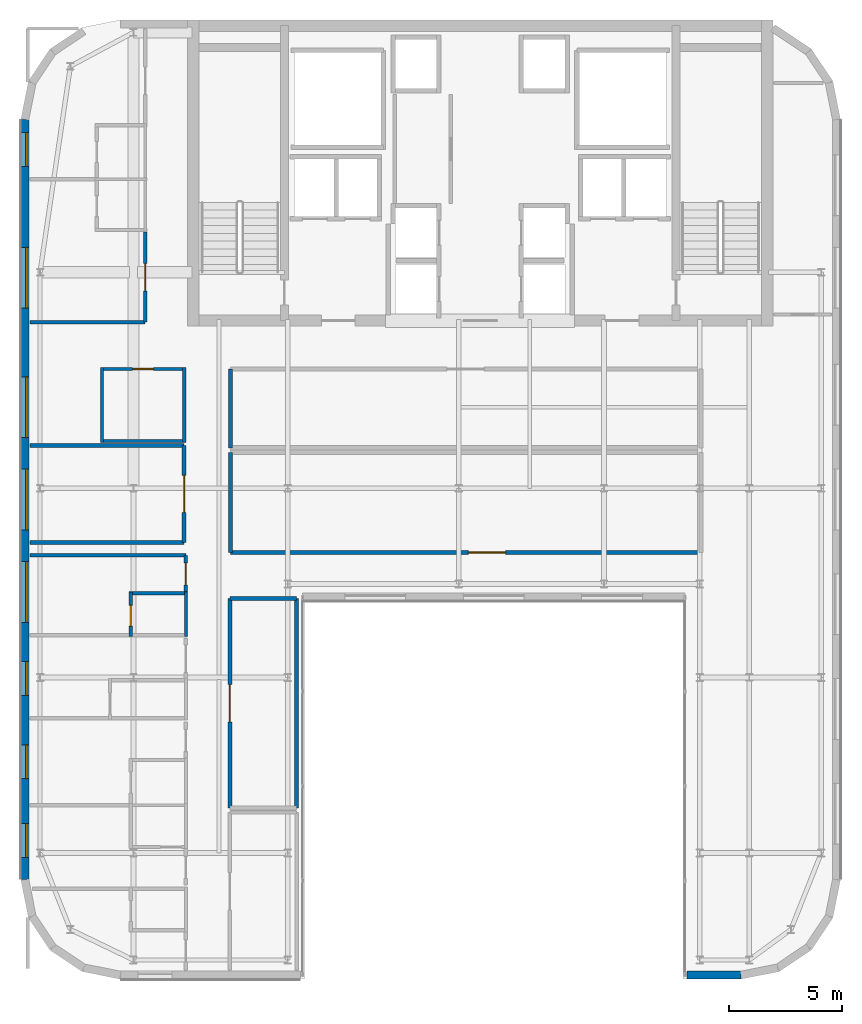
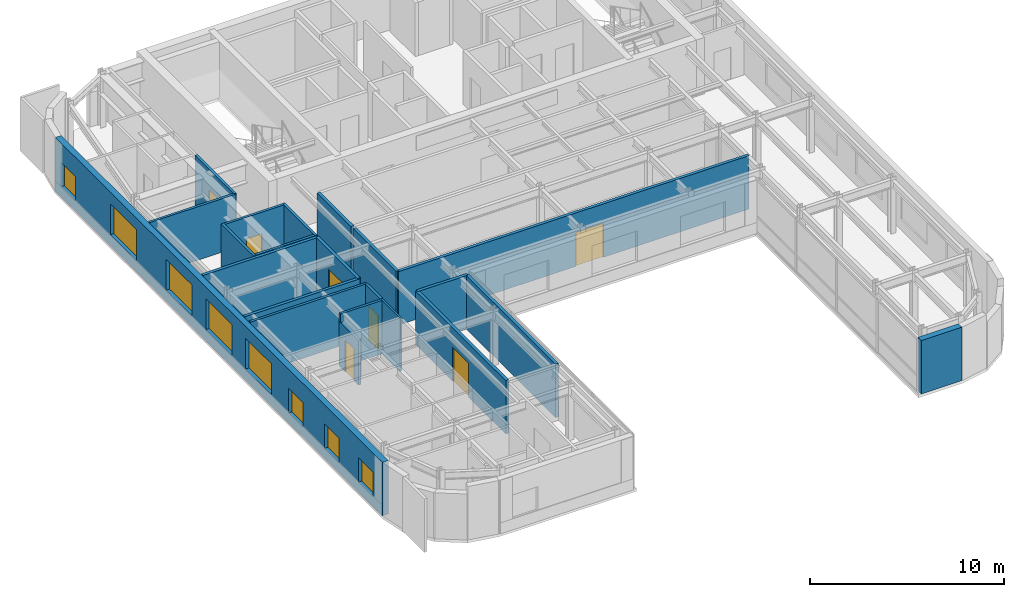
# One storey, part 14 of 21: 22 walls, 8 windows, 7 doors, 15 openings.
"""IFC4 building model written with IfcOpenShell, lengths in metres."""

from ifc_helpers import new_model, si_unit, direction, frame, frame_2d, origin, place, context, subcontext, project, spatial, rectangle, extrude, source, transform, mapped, material, layer, layer_set, type_object, type_shapes, element, fill, save


model = new_model("IFC4")

# Units and contexts
model_context = context("Model", 3, precision=1e-05, world=origin(), true_north=direction((0.0, 1.0)))
body_context = subcontext(model_context, "Body", "Model", "MODEL_VIEW")
ifc_project = project(units=[si_unit("LENGTHUNIT", "METRE"), si_unit("AREAUNIT", "SQUARE_METRE"), si_unit("VOLUMEUNIT", "CUBIC_METRE"), si_unit("PLANEANGLEUNIT", "RADIAN"), si_unit("MASSUNIT", "GRAM", prefix="KILO")], contexts=[model_context])

# Site, building, storey
site_placement = place(None, origin())
site = spatial("IfcSite", under=ifc_project, at=site_placement, CompositionType="ELEMENT")
building_placement = place(site_placement, origin())
building = spatial("IfcBuilding", under=site, at=building_placement, Name="Tolvann Quenvar Hotel", CompositionType="ELEMENT")
storey_placement = place(building_placement, frame((0.0, 0.0, 262.949951171875)))
storey = spatial("IfcBuildingStorey", under=building, at=storey_placement, Name="L70", CompositionType="ELEMENT", Elevation=262.949951171875)

# Wall
ifc_material_1 = material(Name="Kiln-fired red and buff architectural clay brickwork and terracotta masonry", Category="masonry")
ifc_layer_1 = layer(ifc_material_1, 0.35009765625)
ifc_layer_set_1 = layer_set([ifc_layer_1], Name="Kiln-fired red and buff architectural clay brickwork and terracotta masonry")
wall_type_1 = type_object("IfcWallType", Name="WALL_EXT_BRICK_350", PredefinedType="SOLIDWALL", material=ifc_layer_set_1)
wall_1_placement = place(storey_placement, frame((32.175048828125, 2.77490234375, 0.0), z_axis=(0.0, 0.0, 1.0), x_axis=(1.0, 0.0, 0.0)))
element("IfcWall", 1, at=wall_1_placement, inside=storey, type_object=wall_type_1, Name="Exterior Chicago Brick Wall L70-E08", PredefinedType="SOLIDWALL", context=body_context, shape_type="SweptSolid", body=[
    extrude(rectangle(XDim=2.40771484375, YDim=0.35009765625, at=frame_2d((1.203857421875, 0.0))), origin(), (0.0, 0.0, 1.0), 3.3701171875),
])

# Wall, openings, windows
wall_2_placement = place(storey_placement, frame((2.77490234375, 40.78271484375, 0.0), z_axis=(0.0, 0.0, 1.0), x_axis=(0.0, -1.0, 0.0)))
wall_2 = element("IfcWall", 2, at=wall_2_placement, inside=storey, type_object=wall_type_1, Name="Exterior Chicago Brick Wall L70-E23", PredefinedType="SOLIDWALL", context=body_context, shape_type="SweptSolid", body=[
    extrude(rectangle(XDim=33.765625, YDim=0.35009765625, at=frame_2d((16.8828125, 0.0))), origin(), (0.0, 0.0, 1.0), 3.3701171875),
])
opening_1_placement = place(wall_2_placement, frame((5.677978515625, 0.0, 0.679931640625)))
opening_1 = element("IfcOpeningElement", 3, at=opening_1_placement, cuts=wall_2, Name="Opening W-04", PredefinedType="OPENING", context=body_context, shape_type="SweptSolid", body=[
    extrude(rectangle(XDim=2.699951171875, YDim=1.949951171875, at=frame_2d((1.35009765625, 0.97509765625))), frame((0.0, 0.18505859375, 0.0), z_axis=(0.0, -1.0, 0.0), x_axis=(1.0, 0.0, 0.0)), (0.0, 0.0, 1.0), 0.3701171875),
])
opening_2_placement = place(wall_2_placement, frame((11.430908203125, 0.0, 0.679931640625)))
opening_2 = element("IfcOpeningElement", 4, at=opening_2_placement, cuts=wall_2, Name="Opening W-04", PredefinedType="OPENING", context=body_context, shape_type="SweptSolid", body=[
    extrude(rectangle(XDim=2.699951171875, YDim=1.949951171875, at=frame_2d((1.35009765625, 0.97509765625))), frame((0.0, 0.18505859375, 0.0), z_axis=(0.0, -1.0, 0.0), x_axis=(1.0, 0.0, 0.0)), (0.0, 0.0, 1.0), 0.3701171875),
])
opening_3_placement = place(wall_2_placement, frame((15.532958984375, 0.0, 0.679931640625)))
opening_3 = element("IfcOpeningElement", 5, at=opening_3_placement, cuts=wall_2, Name="Opening W-04", PredefinedType="OPENING", context=body_context, shape_type="SweptSolid", body=[
    extrude(rectangle(XDim=2.699951171875, YDim=1.949951171875, at=frame_2d((1.35009765625, 0.97509765625))), frame((0.0, 0.18505859375, 0.0), z_axis=(0.0, -1.0, 0.0), x_axis=(1.0, 0.0, 0.0)), (0.0, 0.0, 1.0), 0.3701171875),
])
opening_4_placement = place(wall_2_placement, frame((19.635009765625, 0.0, 0.679931640625)))
opening_4 = element("IfcOpeningElement", 6, at=opening_4_placement, cuts=wall_2, Name="Opening W-04", PredefinedType="OPENING", context=body_context, shape_type="SweptSolid", body=[
    extrude(rectangle(XDim=2.699951171875, YDim=1.949951171875, at=frame_2d((1.35009765625, 0.97509765625))), frame((0.0, 0.18505859375, 0.0), z_axis=(0.0, -1.0, 0.0), x_axis=(1.0, 0.0, 0.0)), (0.0, 0.0, 1.0), 0.3701171875),
])
opening_5_placement = place(wall_2_placement, frame((31.279052734375, 0.0, 0.6201171875)))
opening_5 = element("IfcOpeningElement", 7, at=opening_5_placement, cuts=wall_2, Name="Opening W-08", PredefinedType="OPENING", context=body_context, shape_type="SweptSolid", body=[
    extrude(rectangle(XDim=1.5, YDim=1.550048828125, at=frame_2d((0.75, 0.77490234375))), frame((0.0, 0.18505859375, 0.0), z_axis=(0.0, -1.0, 0.0), x_axis=(1.0, 0.0, 0.0)), (0.0, 0.0, 1.0), 0.3701171875),
])
opening_6_placement = place(wall_2_placement, frame((27.782958984375, 0.0, 0.6201171875)))
opening_6 = element("IfcOpeningElement", 8, at=opening_6_placement, cuts=wall_2, Name="Opening W-08", PredefinedType="OPENING", context=body_context, shape_type="SweptSolid", body=[
    extrude(rectangle(XDim=1.5, YDim=1.550048828125, at=frame_2d((0.75, 0.77490234375))), frame((0.0, 0.18505859375, 0.0), z_axis=(0.0, -1.0, 0.0), x_axis=(1.0, 0.0, 0.0)), (0.0, 0.0, 1.0), 0.3701171875),
])
opening_7_placement = place(wall_2_placement, frame((24.0830078125, 0.0, 0.6201171875)))
opening_7 = element("IfcOpeningElement", 9, at=opening_7_placement, cuts=wall_2, Name="Opening W-08", PredefinedType="OPENING", context=body_context, shape_type="SweptSolid", body=[
    extrude(rectangle(XDim=1.5, YDim=1.550048828125, at=frame_2d((0.75, 0.77490234375))), frame((0.0, 0.18505859375, 0.0), z_axis=(0.0, -1.0, 0.0), x_axis=(1.0, 0.0, 0.0)), (0.0, 0.0, 1.0), 0.3701171875),
])
opening_8_placement = place(wall_2_placement, frame((0.5859375, 0.0, 0.6201171875)))
opening_8 = element("IfcOpeningElement", 10, at=opening_8_placement, cuts=wall_2, Name="Opening W-08", PredefinedType="OPENING", context=body_context, shape_type="SweptSolid", body=[
    extrude(rectangle(XDim=1.5, YDim=1.550048828125, at=frame_2d((0.75, 0.77490234375))), frame((0.0, 0.18505859375, 0.0), z_axis=(0.0, -1.0, 0.0), x_axis=(1.0, 0.0, 0.0)), (0.0, 0.0, 1.0), 0.3701171875),
])
ifc_material_2 = material(Name="Thermally broken bronze-anodised aluminium frame with double low-E glazing", Category="aluminium")
window_type_1 = type_object("IfcWindowType", Name="WIN_COR_1500x2050", PartitioningType="SINGLE_PANEL", PredefinedType="WINDOW", material=ifc_material_2)
shared_shape_1 = source(origin(), body_context, "Body", "SweptSolid", [
    extrude(rectangle(XDim=1.5, YDim=1.550048828125, at=frame_2d((0.75, 0.77490234375))), frame((0.0, 0.090087890625, 0.0), z_axis=(0.0, -1.0, 0.0), x_axis=(1.0, 0.0, 0.0)), (0.0, 0.0, 1.0), 0.06005859375),
])
type_shapes(window_type_1, [shared_shape_1])
window_1_placement = place(opening_5_placement, origin())
window_1 = element("IfcWindow", 11, at=window_1_placement, inside=storey, type_object=window_type_1, Name="Chicago Window W-08 (EW-L70-E23-WD05)", OverallHeight=1.550048828125, OverallWidth=1.5, PartitioningType="SINGLE_PANEL", PredefinedType="WINDOW", context=body_context, shape_type="MappedRepresentation", body=[
    mapped(shared_shape_1, transform((0.0, 0.0, 0.0), x_axis=(1.0, 0.0, 0.0), y_axis=(0.0, 1.0, 0.0), z_axis=(0.0, 0.0, 1.0), scale=1.0)),
])
fill(opening_5, window_1)
window_2_placement = place(opening_6_placement, origin())
window_2 = element("IfcWindow", 12, at=window_2_placement, inside=storey, type_object=window_type_1, Name="Chicago Window W-08 (EW-L70-E23-WD06)", OverallHeight=1.550048828125, OverallWidth=1.5, PartitioningType="SINGLE_PANEL", PredefinedType="WINDOW", context=body_context, shape_type="MappedRepresentation", body=[
    mapped(shared_shape_1, transform((0.0, 0.0, 0.0), x_axis=(1.0, 0.0, 0.0), y_axis=(0.0, 1.0, 0.0), z_axis=(0.0, 0.0, 1.0), scale=1.0)),
])
fill(opening_6, window_2)
window_3_placement = place(opening_7_placement, origin())
window_3 = element("IfcWindow", 13, at=window_3_placement, inside=storey, type_object=window_type_1, Name="Chicago Window W-08 (EW-L70-E23-WD07)", OverallHeight=1.550048828125, OverallWidth=1.5, PartitioningType="SINGLE_PANEL", PredefinedType="WINDOW", context=body_context, shape_type="MappedRepresentation", body=[
    mapped(shared_shape_1, transform((0.0, 0.0, 0.0), x_axis=(1.0, 0.0, 0.0), y_axis=(0.0, 1.0, 0.0), z_axis=(0.0, 0.0, 1.0), scale=1.0)),
])
fill(opening_7, window_3)
window_4_placement = place(opening_8_placement, origin())
window_4 = element("IfcWindow", 14, at=window_4_placement, inside=storey, type_object=window_type_1, Name="Chicago Window W-08 (EW-L70-E23-WD08)", OverallHeight=1.550048828125, OverallWidth=1.5, PartitioningType="SINGLE_PANEL", PredefinedType="WINDOW", context=body_context, shape_type="MappedRepresentation", body=[
    mapped(shared_shape_1, transform((0.0, 0.0, 0.0), x_axis=(1.0, 0.0, 0.0), y_axis=(0.0, 1.0, 0.0), z_axis=(0.0, 0.0, 1.0), scale=1.0)),
])
fill(opening_8, window_4)
window_type_2 = type_object("IfcWindowType", Name="WIN_STE_2700x2150", PartitioningType="TRIPLE_PANEL_HORIZONTAL", PredefinedType="WINDOW", material=ifc_material_2)
shared_shape_2 = source(origin(), body_context, "Body", "SweptSolid", [
    extrude(rectangle(XDim=2.699951171875, YDim=1.949951171875, at=frame_2d((1.35009765625, 0.97509765625))), frame((0.0, 0.090087890625, 0.0), z_axis=(0.0, -1.0, 0.0), x_axis=(1.0, 0.0, 0.0)), (0.0, 0.0, 1.0), 0.06005859375),
])
type_shapes(window_type_2, [shared_shape_2])
window_5_placement = place(opening_1_placement, origin())
window_5 = element("IfcWindow", 15, at=window_5_placement, inside=storey, type_object=window_type_2, Name="Chicago Window W-04 (EW-L70-E23-W01)", OverallHeight=1.949951171875, OverallWidth=2.699951171875, PartitioningType="TRIPLE_PANEL_HORIZONTAL", PredefinedType="WINDOW", context=body_context, shape_type="MappedRepresentation", body=[
    mapped(shared_shape_2, transform((0.0, 0.0, 0.0), x_axis=(1.0, 0.0, 0.0), y_axis=(0.0, 1.0, 0.0), z_axis=(0.0, 0.0, 1.0), scale=1.0)),
])
fill(opening_1, window_5)
window_6_placement = place(opening_2_placement, origin())
window_6 = element("IfcWindow", 16, at=window_6_placement, inside=storey, type_object=window_type_2, Name="Chicago Window W-04 (EW-L70-E23-W02)", OverallHeight=1.949951171875, OverallWidth=2.699951171875, PartitioningType="TRIPLE_PANEL_HORIZONTAL", PredefinedType="WINDOW", context=body_context, shape_type="MappedRepresentation", body=[
    mapped(shared_shape_2, transform((0.0, 0.0, 0.0), x_axis=(1.0, 0.0, 0.0), y_axis=(0.0, 1.0, 0.0), z_axis=(0.0, 0.0, 1.0), scale=1.0)),
])
fill(opening_2, window_6)
window_7_placement = place(opening_3_placement, origin())
window_7 = element("IfcWindow", 17, at=window_7_placement, inside=storey, type_object=window_type_2, Name="Chicago Window W-04 (EW-L70-E23-W03)", OverallHeight=1.949951171875, OverallWidth=2.699951171875, PartitioningType="TRIPLE_PANEL_HORIZONTAL", PredefinedType="WINDOW", context=body_context, shape_type="MappedRepresentation", body=[
    mapped(shared_shape_2, transform((0.0, 0.0, 0.0), x_axis=(1.0, 0.0, 0.0), y_axis=(0.0, 1.0, 0.0), z_axis=(0.0, 0.0, 1.0), scale=1.0)),
])
fill(opening_3, window_7)
window_8_placement = place(opening_4_placement, origin())
window_8 = element("IfcWindow", 18, at=window_8_placement, inside=storey, type_object=window_type_2, Name="Chicago Window W-04 (EW-L70-E23-W04)", OverallHeight=1.949951171875, OverallWidth=2.699951171875, PartitioningType="TRIPLE_PANEL_HORIZONTAL", PredefinedType="WINDOW", context=body_context, shape_type="MappedRepresentation", body=[
    mapped(shared_shape_2, transform((0.0, 0.0, 0.0), x_axis=(1.0, 0.0, 0.0), y_axis=(0.0, 1.0, 0.0), z_axis=(0.0, 0.0, 1.0), scale=1.0)),
])
fill(opening_4, window_8)

# Wall
ifc_material_3 = material(Name="Acoustic twin-stud fire-rated gypsum plasterboard partition")
ifc_layer_2 = layer(ifc_material_3, 0.179931640625)
ifc_layer_set_2 = layer_set([ifc_layer_2], Name="Acoustic twin-stud fire-rated gypsum plasterboard partition")
wall_type_2 = type_object("IfcWallType", Name="WALL_PART_ACOUSTIC_180", PredefinedType="PARTITIONING", material=ifc_layer_set_2)
wall_3_placement = place(storey_placement, frame((11.8798828125, 19.5, 0.0), z_axis=(0.0, 0.0, 1.0), x_axis=(1.0, 0.0, 0.0)))
element("IfcWall", 19, at=wall_3_placement, inside=storey, type_object=wall_type_2, Name="Interior Partition PT-SPC-L70-POVL-N", PredefinedType="PARTITIONING", context=body_context, shape_type="SweptSolid", body=[
    extrude(rectangle(XDim=2.97021484375, YDim=0.179931640625, at=frame_2d((1.485107421875, 0.0))), origin(), (0.0, 0.0, 1.0), 3.3701171875),
])

# Wall, opening, door
wall_4_placement = place(storey_placement, frame((11.8798828125, 10.199951171875, 0.0), z_axis=(0.0, 0.0, 1.0), x_axis=(0.0, 1.0, 0.0)))
wall_4 = element("IfcWall", 20, at=wall_4_placement, inside=storey, type_object=wall_type_2, Name="Interior Partition PT-SPC-L70-POVL-W", PredefinedType="PARTITIONING", context=body_context, shape_type="SweptSolid", body=[
    extrude(rectangle(XDim=9.300048828125, YDim=0.179931640625, at=frame_2d((4.64990234375, 0.0))), origin(), (0.0, 0.0, 1.0), 3.3701171875),
])
opening_9_placement = place(wall_4_placement, frame((3.824951171875, 0.0, 0.0)))
opening_9 = element("IfcOpeningElement", 21, at=opening_9_placement, cuts=wall_4, Name="Opening AD-01", PredefinedType="OPENING", context=body_context, shape_type="SweptSolid", body=[
    extrude(rectangle(XDim=1.64990234375, YDim=2.14990234375, at=frame_2d((0.824951171875, 1.074951171875))), frame((0.0, 0.10009765625, 0.0), z_axis=(0.0, -1.0, 0.0), x_axis=(1.0, 0.0, 0.0)), (0.0, 0.0, 1.0), 0.199951171875),
])
ifc_material_4 = material(Name="Solid-core American oak acoustic fire door leaf in steel frame", Category="steel")
door_type_1 = type_object("IfcDoorType", Name="DOOR_SALON_1650", OperationType="NOTDEFINED", PredefinedType="DOOR", material=ifc_material_4)
shared_shape_3 = source(origin(), body_context, "Body", "SweptSolid", [
    extrude(rectangle(XDim=1.64990234375, YDim=2.14990234375, at=frame_2d((0.824951171875, 1.074951171875))), frame((0.0, 0.02490234375, 0.0), z_axis=(0.0, -1.0, 0.0), x_axis=(1.0, 0.0, 0.0)), (0.0, 0.0, 1.0), 0.050048828125),
])
type_shapes(door_type_1, [shared_shape_3])
door_1_placement = place(opening_9_placement, origin())
door_1 = element("IfcDoor", 22, at=door_1_placement, inside=storey, type_object=door_type_1, Name="Interior Door DOOR-SPC-L70-POVL", OperationType="DOUBLE_DOOR_SINGLE_SWING", OverallHeight=2.14990234375, OverallWidth=1.64990234375, PredefinedType="DOOR", context=body_context, shape_type="MappedRepresentation", body=[
    mapped(shared_shape_3, transform((0.0, 0.0, 0.0), x_axis=(1.0, 0.0, 0.0), y_axis=(0.0, 1.0, 0.0), z_axis=(0.0, 0.0, 1.0), scale=1.0)),
])
fill(opening_9, door_1)

# Wall
wall_5_placement = place(storey_placement, frame((14.85009765625, 10.199951171875, 0.0), z_axis=(0.0, 0.0, 1.0), x_axis=(0.0, 1.0, 0.0)))
element("IfcWall", 23, at=wall_5_placement, inside=storey, type_object=wall_type_2, Name="Interior Partition PT-SPC-L70-POVL-E", PredefinedType="PARTITIONING", context=body_context, shape_type="SweptSolid", body=[
    extrude(rectangle(XDim=9.300048828125, YDim=0.179931640625, at=frame_2d((4.64990234375, 0.0))), origin(), (0.0, 0.0, 1.0), 3.3701171875),
])

# Wall, opening, door
wall_6_placement = place(storey_placement, frame((11.89990234375, 21.550048828125, 0.0), z_axis=(0.0, 0.0, 1.0), x_axis=(1.0, 0.0, 0.0)))
wall_6 = element("IfcWall", 24, at=wall_6_placement, inside=storey, type_object=wall_type_2, Name="Interior Partition PT-SPC-L70-PCNTR1-S", PredefinedType="PARTITIONING", context=body_context, shape_type="SweptSolid", body=[
    extrude(rectangle(XDim=20.900146484375, YDim=0.179931640625, at=frame_2d((10.4501953125, 0.0))), origin(), (0.0, 0.0, 1.0), 3.3701171875),
])
opening_10_placement = place(wall_6_placement, frame((10.574951171875, 0.0, 0.0)))
opening_10 = element("IfcOpeningElement", 25, at=opening_10_placement, cuts=wall_6, Name="Opening AD-01", PredefinedType="OPENING", context=body_context, shape_type="SweptSolid", body=[
    extrude(rectangle(XDim=1.64990234375, YDim=2.14990234375, at=frame_2d((0.824951171875, 1.074951171875))), frame((0.0, 0.10009765625, 0.0), z_axis=(0.0, -1.0, 0.0), x_axis=(1.0, 0.0, 0.0)), (0.0, 0.0, 1.0), 0.199951171875),
])
door_2_placement = place(opening_10_placement, origin())
door_2 = element("IfcDoor", 26, at=door_2_placement, inside=storey, type_object=door_type_1, Name="Interior Door DOOR-SPC-L70-PCNTR1", OperationType="DOUBLE_DOOR_SINGLE_SWING", OverallHeight=2.14990234375, OverallWidth=1.64990234375, PredefinedType="DOOR", context=body_context, shape_type="MappedRepresentation", body=[
    mapped(shared_shape_3, transform((0.0, 0.0, 0.0), x_axis=(1.0, 0.0, 0.0), y_axis=(0.0, 1.0, 0.0), z_axis=(0.0, 0.0, 1.0), scale=1.0)),
])
fill(opening_10, door_2)

# Walls
wall_7_placement = place(storey_placement, frame((11.89990234375, 21.550048828125, 0.0), z_axis=(0.0, 0.0, 1.0), x_axis=(0.0, 1.0, 0.0)))
element("IfcWall", 27, at=wall_7_placement, inside=storey, type_object=wall_type_2, Name="Interior Partition PT-SPC-L70-PCNTR1-W", PredefinedType="PARTITIONING", context=body_context, shape_type="SweptSolid", body=[
    extrude(rectangle(XDim=4.449951171875, YDim=0.179931640625, at=frame_2d((2.22509765625, 0.0))), origin(), (0.0, 0.0, 1.0), 3.3701171875),
])
wall_8_placement = place(storey_placement, frame((11.89990234375, 26.199951171875, 0.0), z_axis=(0.0, 0.0, 1.0), x_axis=(0.0, 1.0, 0.0)))
element("IfcWall", 28, at=wall_8_placement, inside=storey, type_object=wall_type_2, Name="Interior Partition PT-SPC-L70-PCNTR2-W", PredefinedType="PARTITIONING", context=body_context, shape_type="SweptSolid", body=[
    extrude(rectangle(XDim=3.5, YDim=0.179931640625, at=frame_2d((1.75, 0.0))), origin(), (0.0, 0.0, 1.0), 3.3701171875),
])
for number, where, z_axis, x_axis, name in (
    (29, (3.0048828125, 22.0, 0.0), (0.0, 0.0, 1.0), (1.0, 0.0, 0.0), "Interior Partition PT-SPC-L70-WCLNG-S"),
    (30, (3.0048828125, 26.300048828125, 0.0), (0.0, 0.0, 1.0), (1.0, 0.0, 0.0), "Interior Partition PT-SPC-L70-WCLNG-N"),
):
    element("IfcWall", number, at=place(storey_placement, frame(where, z_axis=z_axis, x_axis=x_axis)), inside=storey, type_object=wall_type_2, Name=name, PredefinedType="PARTITIONING", context=body_context, shape_type="SweptSolid", body=[
        extrude(rectangle(XDim=6.84521484375, YDim=0.179931640625, at=frame_2d((3.422607421875, 0.0))), origin(), (0.0, 0.0, 1.0), 3.3701171875),
    ])

# Wall, opening, door
wall_9_placement = place(storey_placement, frame((9.85009765625, 22.0, 0.0), z_axis=(0.0, 0.0, 1.0), x_axis=(0.0, 1.0, 0.0)))
wall_9 = element("IfcWall", 31, at=wall_9_placement, inside=storey, type_object=wall_type_2, Name="Interior Partition PT-SPC-L70-WCLNG-E", PredefinedType="PARTITIONING", context=body_context, shape_type="SweptSolid", body=[
    extrude(rectangle(XDim=4.300048828125, YDim=0.179931640625, at=frame_2d((2.14990234375, 0.0))), origin(), (0.0, 0.0, 1.0), 3.3701171875),
])
opening_11_placement = place(wall_9_placement, frame((1.324951171875, 0.0, 0.0)))
opening_11 = element("IfcOpeningElement", 32, at=opening_11_placement, cuts=wall_9, Name="Opening AD-01", PredefinedType="OPENING", context=body_context, shape_type="SweptSolid", body=[
    extrude(rectangle(XDim=1.64990234375, YDim=2.14990234375, at=frame_2d((0.824951171875, 1.074951171875))), frame((0.0, 0.10009765625, 0.0), z_axis=(0.0, -1.0, 0.0), x_axis=(1.0, 0.0, 0.0)), (0.0, 0.0, 1.0), 0.199951171875),
])
door_3_placement = place(opening_11_placement, origin())
door_3 = element("IfcDoor", 33, at=door_3_placement, inside=storey, type_object=door_type_1, Name="Interior Door DOOR-SPC-L70-WCLNG", OperationType="DOUBLE_DOOR_SINGLE_SWING", OverallHeight=2.14990234375, OverallWidth=1.64990234375, PredefinedType="DOOR", context=body_context, shape_type="MappedRepresentation", body=[
    mapped(shared_shape_3, transform((0.0, 0.0, 0.0), x_axis=(1.0, 0.0, 0.0), y_axis=(0.0, 1.0, 0.0), z_axis=(0.0, 0.0, 1.0), scale=1.0)),
])
fill(opening_11, door_3)

# Wall
ifc_material_5 = material(Name="Moisture-resistant acoustic plumbing wall assembly")
ifc_layer_3 = layer(ifc_material_5, 0.1201171875)
ifc_layer_set_3 = layer_set([ifc_layer_3], Name="Moisture-resistant acoustic plumbing wall assembly")
wall_type_3 = type_object("IfcWallType", Name="WALL_PART_BATH_120", PredefinedType="PLUMBINGWALL", material=ifc_layer_set_3)
wall_10_placement = place(storey_placement, frame((9.929931640625, 17.81005859375, 0.0), z_axis=(0.0, 0.0, 1.0), x_axis=(0.0, 1.0, 0.0)))
element("IfcWall", 34, at=wall_10_placement, inside=storey, type_object=wall_type_3, Name="Non-Rated Plumbing Partition PT-SPC-L70-ENS-PW05-E", PredefinedType="PLUMBINGWALL", context=body_context, shape_type="SweptSolid", body=[
    extrude(rectangle(XDim=1.989990234375, YDim=0.1201171875, at=frame_2d((0.9951171875, 0.0))), origin(), (0.0, 0.0, 1.0), 3.3701171875),
])

# Wall, opening, door
ifc_layer_4 = layer(ifc_material_3, 0.14990234375)
ifc_layer_set_4 = layer_set([ifc_layer_4], Name="Acoustic twin-stud fire-rated gypsum plasterboard partition")
wall_type_4 = type_object("IfcWallType", Name="WALL_PART_SUITE_150", PredefinedType="PARTITIONING", material=ifc_layer_set_4)
wall_11_placement = place(storey_placement, frame((7.47998046875, 17.81005859375, 0.0), z_axis=(0.0, 0.0, 1.0), x_axis=(0.0, 1.0, 0.0)))
wall_11 = element("IfcWall", 35, at=wall_11_placement, inside=storey, type_object=wall_type_4, Name="Interior Partition PT-SPC-L70-ENS-PW05-ENT", PredefinedType="PARTITIONING", context=body_context, shape_type="SweptSolid", body=[
    extrude(rectangle(XDim=1.989990234375, YDim=0.14990234375, at=frame_2d((0.9951171875, 0.0))), origin(), (0.0, 0.0, 1.0), 2.8271484375),
])
opening_12_placement = place(wall_11_placement, frame((0.465087890625, 0.0, 0.0)))
opening_12 = element("IfcOpeningElement", 36, at=opening_12_placement, cuts=wall_11, Name="Opening WD-01", PredefinedType="OPENING", context=body_context, shape_type="SweptSolid", body=[
    extrude(rectangle(XDim=0.919921875, YDim=2.010009765625, at=frame_2d((0.4599609375, 1.0048828125))), frame((0.0, 0.0849609375, 0.0), z_axis=(0.0, -1.0, 0.0), x_axis=(1.0, 0.0, 0.0)), (0.0, 0.0, 1.0), 0.169921875),
])
door_type_2 = type_object("IfcDoorType", Name="DOOR_WC_920", OperationType="NOTDEFINED", PredefinedType="DOOR", material=ifc_material_4)
shared_shape_4 = source(origin(), body_context, "Body", "SweptSolid", [
    extrude(rectangle(XDim=0.919921875, YDim=2.010009765625, at=frame_2d((0.4599609375, 1.0048828125))), frame((0.0, 0.02490234375, 0.0), z_axis=(0.0, -1.0, 0.0), x_axis=(1.0, 0.0, 0.0)), (0.0, 0.0, 1.0), 0.050048828125),
])
type_shapes(door_type_2, [shared_shape_4])
door_4_placement = place(opening_12_placement, origin())
door_4 = element("IfcDoor", 37, at=door_4_placement, inside=storey, type_object=door_type_2, Name="Interior Door DOOR-SPC-L70-ENS-PW05", OperationType="SINGLE_SWING_RIGHT", OverallHeight=2.010009765625, OverallWidth=0.919921875, PredefinedType="DOOR", context=body_context, shape_type="MappedRepresentation", body=[
    mapped(shared_shape_4, transform((0.0, 0.0, 0.0), x_axis=(1.0, 0.0, 0.0), y_axis=(0.0, 1.0, 0.0), z_axis=(0.0, 0.0, 1.0), scale=1.0)),
])
fill(opening_12, door_4)

# Wall
wall_12_placement = place(storey_placement, frame((7.409912109375, 19.72998046875, 0.0), z_axis=(0.0, 0.0, 1.0), x_axis=(1.0, 0.0, 0.0)))
element("IfcWall", 38, at=wall_12_placement, inside=storey, type_object=wall_type_4, Name="Interior Partition PT-SPC-L70-ENS-PW05-N", PredefinedType="PARTITIONING", context=body_context, shape_type="SweptSolid", body=[
    extrude(rectangle(XDim=2.590087890625, YDim=0.14990234375, at=frame_2d((1.294921875, 0.0))), origin(), (0.0, 0.0, 1.0), 3.3701171875),
])

# Wall, opening, door
wall_13_placement = place(storey_placement, frame((9.929931640625, 19.81005859375, 0.0), z_axis=(0.0, 0.0, 1.0), x_axis=(0.0, 1.0, 0.0)))
wall_13 = element("IfcWall", 39, at=wall_13_placement, inside=storey, type_object=wall_type_4, Name="Interior Partition PT-SPC-L70-RM-PW05-ENT", PredefinedType="PARTITIONING", context=body_context, shape_type="SweptSolid", body=[
    extrude(rectangle(XDim=1.60986328125, YDim=0.14990234375, at=frame_2d((0.804931640625, 0.0))), origin(), (0.0, 0.0, 1.0), 3.3701171875),
])
opening_13_placement = place(wall_13_placement, frame((0.294921875, 0.0, 0.0)))
opening_13 = element("IfcOpeningElement", 40, at=opening_13_placement, cuts=wall_13, Name="Opening SD-01", PredefinedType="OPENING", context=body_context, shape_type="SweptSolid", body=[
    extrude(rectangle(XDim=0.97998046875, YDim=2.1201171875, at=frame_2d((0.489990234375, 1.06005859375))), frame((0.0, 0.0849609375, 0.0), z_axis=(0.0, -1.0, 0.0), x_axis=(1.0, 0.0, 0.0)), (0.0, 0.0, 1.0), 0.169921875),
])
door_type_3 = type_object("IfcDoorType", Name="DOOR_SUITE_980", OperationType="NOTDEFINED", PredefinedType="DOOR", material=ifc_material_4)
shared_shape_5 = source(origin(), body_context, "Body", "SweptSolid", [
    extrude(rectangle(XDim=0.97998046875, YDim=2.1201171875, at=frame_2d((0.489990234375, 1.06005859375))), frame((0.0, 0.02490234375, 0.0), z_axis=(0.0, -1.0, 0.0), x_axis=(1.0, 0.0, 0.0)), (0.0, 0.0, 1.0), 0.050048828125),
])
type_shapes(door_type_3, [shared_shape_5])
door_5_placement = place(opening_13_placement, origin())
door_5 = element("IfcDoor", 41, at=door_5_placement, inside=storey, type_object=door_type_3, Name="Interior Door DOOR-SPC-L70-RM-PW05", OperationType="SINGLE_SWING_RIGHT", OverallHeight=2.1201171875, OverallWidth=0.97998046875, PredefinedType="DOOR", context=body_context, shape_type="MappedRepresentation", body=[
    mapped(shared_shape_5, transform((0.0, 0.0, 0.0), x_axis=(1.0, 0.0, 0.0), y_axis=(0.0, 1.0, 0.0), z_axis=(0.0, 0.0, 1.0), scale=1.0)),
])
fill(opening_13, door_5)

# Walls
wall_14_placement = place(storey_placement, frame((3.0048828125, 21.419921875, 0.0), z_axis=(0.0, 0.0, 1.0), x_axis=(1.0, 0.0, 0.0)))
element("IfcWall", 42, at=wall_14_placement, inside=storey, type_object=wall_type_4, Name="Interior Partition PT-SPC-L70-RM-PW05-E5", PredefinedType="PARTITIONING", context=body_context, shape_type="SweptSolid", body=[
    extrude(rectangle(XDim=6.925048828125, YDim=0.14990234375, at=frame_2d((3.46240234375, 0.0))), origin(), (0.0, 0.0, 1.0), 3.3701171875),
])
wall_15_placement = place(storey_placement, frame((6.1298828125, 26.5, 0.0), z_axis=(0.0, 0.0, 1.0), x_axis=(1.0, 0.0, 0.0)))
element("IfcWall", 43, at=wall_15_placement, inside=storey, type_object=wall_type_4, Name="Interior Partition PT-SPC-L70-WCA-S", PredefinedType="PARTITIONING", context=body_context, shape_type="SweptSolid", body=[
    extrude(rectangle(XDim=3.7900390625, YDim=0.14990234375, at=frame_2d((1.89501953125, 0.0))), origin(), (0.0, 0.0, 1.0), 3.3701171875),
])

# Wall, opening, door
wall_16_placement = place(storey_placement, frame((6.1298828125, 29.699951171875, 0.0), z_axis=(0.0, 0.0, 1.0), x_axis=(1.0, 0.0, 0.0)))
wall_16 = element("IfcWall", 44, at=wall_16_placement, inside=storey, type_object=wall_type_4, Name="Interior Partition PT-SPC-L70-WCA-N", PredefinedType="PARTITIONING", context=body_context, shape_type="SweptSolid", body=[
    extrude(rectangle(XDim=3.7900390625, YDim=0.14990234375, at=frame_2d((1.89501953125, 0.0))), origin(), (0.0, 0.0, 1.0), 3.3701171875),
])
opening_14_placement = place(wall_16_placement, frame((1.43505859375, 0.0, 0.0)))
opening_14 = element("IfcOpeningElement", 45, at=opening_14_placement, cuts=wall_16, Name="Opening WD-01", PredefinedType="OPENING", context=body_context, shape_type="SweptSolid", body=[
    extrude(rectangle(XDim=0.919921875, YDim=2.010009765625, at=frame_2d((0.4599609375, 1.0048828125))), frame((0.0, 0.0849609375, 0.0), z_axis=(0.0, -1.0, 0.0), x_axis=(1.0, 0.0, 0.0)), (0.0, 0.0, 1.0), 0.169921875),
])
door_6_placement = place(opening_14_placement, origin())
door_6 = element("IfcDoor", 46, at=door_6_placement, inside=storey, type_object=door_type_2, Name="Interior Door DOOR-SPC-L70-WCA", OperationType="SINGLE_SWING_LEFT", OverallHeight=2.010009765625, OverallWidth=0.919921875, PredefinedType="DOOR", context=body_context, shape_type="MappedRepresentation", body=[
    mapped(shared_shape_4, transform((0.0, 0.0, 0.0), x_axis=(1.0, 0.0, 0.0), y_axis=(0.0, 1.0, 0.0), z_axis=(0.0, 0.0, 1.0), scale=1.0)),
])
fill(opening_14, door_6)

# Walls
for number, where, z_axis, x_axis, name in (
    (47, (6.199951171875, 26.429931640625, 0.0), (0.0, 0.0, 1.0), (0.0, 1.0, 0.0), "Interior Partition PT-SPC-L70-WCA-W"),
    (48, (9.85009765625, 26.429931640625, 0.0), (0.0, 0.0, 1.0), (0.0, 1.0, 0.0), "Interior Partition PT-SPC-L70-WCA-E"),
):
    element("IfcWall", number, at=place(storey_placement, frame(where, z_axis=z_axis, x_axis=x_axis)), inside=storey, type_object=wall_type_4, Name=name, PredefinedType="PARTITIONING", context=body_context, shape_type="SweptSolid", body=[
        extrude(rectangle(XDim=3.340087890625, YDim=0.14990234375, at=frame_2d((1.669921875, 0.0))), origin(), (0.0, 0.0, 1.0), 3.3701171875),
    ])

# Wall, opening, door
wall_17_placement = place(storey_placement, frame((8.1201171875, 31.780029296875, 0.0), z_axis=(0.0, 0.0, 1.0), x_axis=(0.0, 1.0, 0.0)))
wall_17 = element("IfcWall", 49, at=wall_17_placement, inside=storey, type_object=wall_type_4, Name="Interior Partition PT-SPC-L70-RM-PNW01-ENT", PredefinedType="PARTITIONING", context=body_context, shape_type="SweptSolid", body=[
    extrude(rectangle(XDim=4.010009765625, YDim=0.14990234375, at=frame_2d((2.0048828125, 0.0))), origin(), (0.0, 0.0, 1.0), 3.3701171875),
])
opening_15_placement = place(wall_17_placement, frame((1.375, 0.0, 0.0)))
opening_15 = element("IfcOpeningElement", 50, at=opening_15_placement, cuts=wall_17, Name="Opening SD-02", PredefinedType="OPENING", context=body_context, shape_type="SweptSolid", body=[
    extrude(rectangle(XDim=1.219970703125, YDim=2.080078125, at=frame_2d((0.60986328125, 1.0400390625))), frame((0.0, 0.0849609375, 0.0), z_axis=(0.0, -1.0, 0.0), x_axis=(1.0, 0.0, 0.0)), (0.0, 0.0, 1.0), 0.169921875),
])
door_type_4 = type_object("IfcDoorType", Name="DOOR_VIP_1220", OperationType="NOTDEFINED", PredefinedType="DOOR", material=ifc_material_4)
shared_shape_6 = source(origin(), body_context, "Body", "SweptSolid", [
    extrude(rectangle(XDim=1.219970703125, YDim=2.080078125, at=frame_2d((0.60986328125, 1.0400390625))), frame((0.0, 0.02490234375, 0.0), z_axis=(0.0, -1.0, 0.0), x_axis=(1.0, 0.0, 0.0)), (0.0, 0.0, 1.0), 0.050048828125),
])
type_shapes(door_type_4, [shared_shape_6])
door_7_placement = place(opening_15_placement, origin())
door_7 = element("IfcDoor", 51, at=door_7_placement, inside=storey, type_object=door_type_4, Name="Interior Door DOOR-SPC-L70-RM-PNW01", OperationType="SINGLE_SWING_RIGHT", OverallHeight=2.080078125, OverallWidth=1.219970703125, PredefinedType="DOOR", context=body_context, shape_type="MappedRepresentation", body=[
    mapped(shared_shape_6, transform((0.0, 0.0, 0.0), x_axis=(1.0, 0.0, 0.0), y_axis=(0.0, 1.0, 0.0), z_axis=(0.0, 0.0, 1.0), scale=1.0)),
])
fill(opening_15, door_7)

# Wall
wall_18_placement = place(storey_placement, frame((3.0048828125, 31.780029296875, 0.0), z_axis=(0.0, 0.0, 1.0), x_axis=(1.0, 0.0, 0.0)))
element("IfcWall", 52, at=wall_18_placement, inside=storey, type_object=wall_type_4, Name="Interior Partition PT-SPC-L70-RM-PNW01-E1", PredefinedType="PARTITIONING", context=body_context, shape_type="SweptSolid", body=[
    extrude(rectangle(XDim=5.115234375, YDim=0.14990234375, at=frame_2d((2.5576171875, 0.0))), origin(), (0.0, 0.0, 1.0), 3.3701171875),
])

save(model, "model.ifc")
